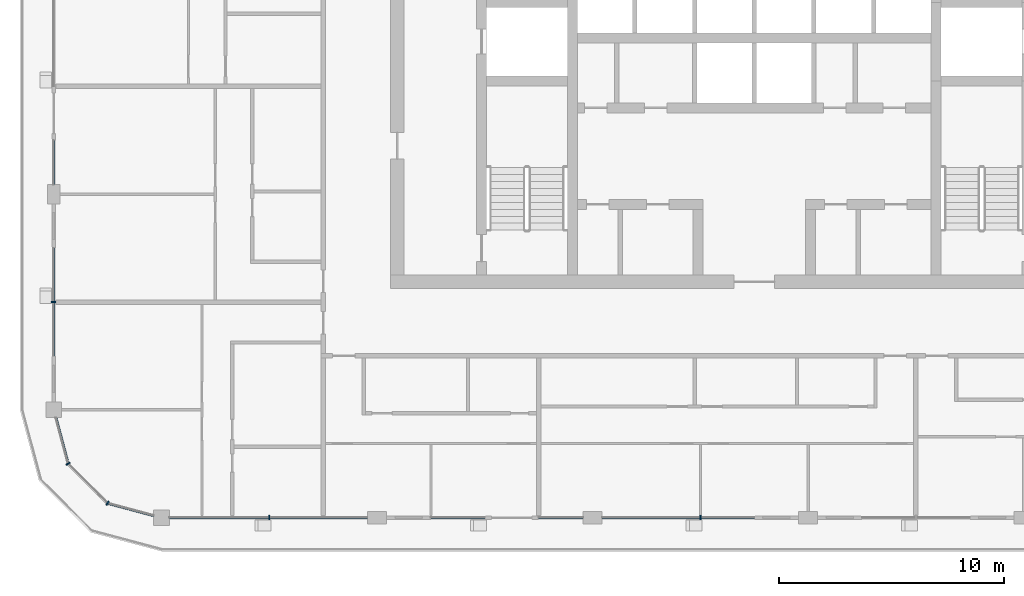
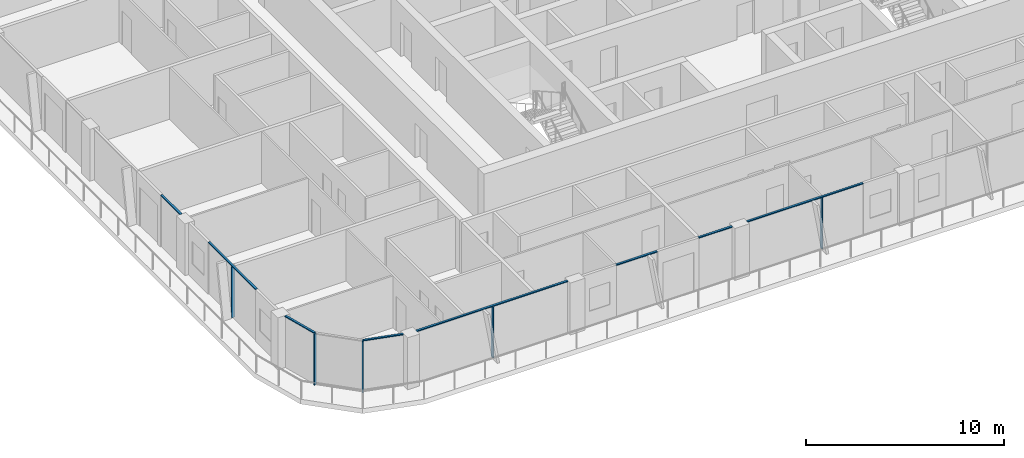
# One storey, part 2 of 22: 13 members, 6 elements without a shape of their own.
"""IFC4 building model written with IfcOpenShell, lengths in metres."""

from ifc_helpers import new_model, si_unit, direction, frame, origin, origin_2d, place, context, subcontext, project, spatial, rectangle, extrude, material, layer, layer_set, material_profile, profile_set, type_object, element, aggregate, save


model = new_model("IFC4")

# Units and contexts
model_context = context("Model", 3, precision=1e-05, world=origin(), true_north=direction((0.0, 1.0)))
body_context = subcontext(model_context, "Body", "Model", "MODEL_VIEW")
ifc_project = project(units=[si_unit("LENGTHUNIT", "METRE"), si_unit("AREAUNIT", "SQUARE_METRE"), si_unit("VOLUMEUNIT", "CUBIC_METRE"), si_unit("PLANEANGLEUNIT", "RADIAN"), si_unit("MASSUNIT", "GRAM", prefix="KILO")], contexts=[model_context])

# Site, building, storey
site_placement = place(None, origin())
site = spatial("IfcSite", under=ifc_project, at=site_placement, CompositionType="ELEMENT")
building_placement = place(site_placement, origin())
building = spatial("IfcBuilding", under=site, at=building_placement, Name="Madar Terraces", CompositionType="ELEMENT")
storey_placement = place(building_placement, frame((0.0, 0.0, 256.199951171875)))
storey = spatial("IfcBuildingStorey", under=building, at=storey_placement, Name="L67", CompositionType="ELEMENT", Elevation=256.199951171875)

# Curtain wall, member
ifc_material_1 = material(Name="Glass, ceramic frit dark grey, with black aluminium frame", Category="aluminium")
ifc_layer = layer(ifc_material_1, 0.199951171875)
ifc_layer_set = layer_set([ifc_layer], Name="Facade curtain wall, fritted glass")
curtain_wall_type = type_object("IfcCurtainWallType", Name="Facade curtain wall, fritted glass", PredefinedType="NOTDEFINED", material=ifc_layer_set)
curtain_wall_1_placement = place(storey_placement, origin())
curtain_wall_1 = element("IfcCurtainWall", 1, at=curtain_wall_1_placement, inside=storey, type_object=curtain_wall_type, Name="Outer skin curtain wall south bay 1", PredefinedType="NOTDEFINED")
ifc_material_2 = material(Name="Aluminium, black anodised", Category="aluminium")
ifc_material_profile_1 = material_profile(ifc_material_2, rectangle(XDim=0.199951171875, YDim=0.06005859375, at=origin_2d()), Name="Facade mullion 60x200")
ifc_profile_set_1 = profile_set([ifc_material_profile_1], Name="Aluminium, black anodised")
member_type_1 = type_object("IfcMemberType", Name="Facade mullion 60x200", PredefinedType="MULLION", material=ifc_profile_set_1)
member_1_placement = place(storey_placement, frame((9.60009765625, 4.800048828125, 0.0), z_axis=(0.0, 0.0, 1.0), x_axis=(0.0, 1.0, 0.0)))
member_1 = element("IfcMember", 2, at=member_1_placement, type_object=member_type_1, Name="Mullion 1", PredefinedType="MULLION", context=body_context, shape_type="SweptSolid", body=[
    extrude(rectangle(XDim=0.199951171875, YDim=0.06005859375, at=origin_2d()), origin(), (0.0, 0.0, 1.0), 3.14013671875),
])

curtain_wall_2_placement = place(storey_placement, origin())
curtain_wall_2 = element("IfcCurtainWall", 3, at=curtain_wall_2_placement, inside=storey, type_object=curtain_wall_type, Name="Outer skin curtain wall south bay 3", PredefinedType="NOTDEFINED")
member_2_placement = place(storey_placement, frame((28.800048828125, 4.800048828125, 0.0), z_axis=(0.0, 0.0, 1.0), x_axis=(0.0, 1.0, 0.0)))
member_2 = element("IfcMember", 4, at=member_2_placement, type_object=member_type_1, Name="Mullion 1", PredefinedType="MULLION", context=body_context, shape_type="SweptSolid", body=[
    extrude(rectangle(XDim=0.199951171875, YDim=0.06005859375, at=origin_2d()), origin(), (0.0, 0.0, 1.0), 3.14013671875),
])

curtain_wall_3_placement = place(storey_placement, origin())
curtain_wall_3 = element("IfcCurtainWall", 5, at=curtain_wall_3_placement, inside=storey, type_object=curtain_wall_type, Name="Outer skin curtain wall west bay 4", PredefinedType="NOTDEFINED")
member_3_placement = place(storey_placement, frame((0.0, 14.39990234375, 0.0), z_axis=(0.0, 0.0, 1.0), x_axis=(1.0, 0.0, 0.0)))
member_3 = element("IfcMember", 6, at=member_3_placement, type_object=member_type_1, Name="Mullion 1", PredefinedType="MULLION", context=body_context, shape_type="SweptSolid", body=[
    extrude(rectangle(XDim=0.199951171875, YDim=0.06005859375, at=origin_2d()), origin(), (0.0, 0.0, 1.0), 3.14013671875),
])

# Curtain wall, members
curtain_wall_4_placement = place(storey_placement, origin())
curtain_wall_4 = element("IfcCurtainWall", 7, at=curtain_wall_4_placement, inside=storey, type_object=curtain_wall_type, Name="Outer skin curtain wall south-west corner", PredefinedType="NOTDEFINED")
member_4_placement = place(storey_placement, frame((0.64306640625, 7.199951171875, 0.0), z_axis=(0.0, 0.0, 1.0), x_axis=(0.866025409797, 0.499999989586, 0.0)))
member_4 = element("IfcMember", 8, at=member_4_placement, type_object=member_type_1, Name="Mullion 1", PredefinedType="MULLION", context=body_context, shape_type="SweptSolid", body=[
    extrude(rectangle(XDim=0.199951171875, YDim=0.06005859375, at=origin_2d()), origin(), (0.0, 0.0, 1.0), 3.14013671875),
])
member_5_placement = place(storey_placement, frame((2.39990234375, 5.443115234375, 0.0), z_axis=(0.0, 0.0, 1.0), x_axis=(0.499999989586, 0.866025409797, 0.0)))
member_5 = element("IfcMember", 9, at=member_5_placement, type_object=member_type_1, Name="Mullion 2", PredefinedType="MULLION", context=body_context, shape_type="SweptSolid", body=[
    extrude(rectangle(XDim=0.199951171875, YDim=0.06005859375, at=origin_2d()), origin(), (0.0, 0.0, 1.0), 3.14013671875),
])

# Member
ifc_material_3 = material(Name="Aluminium, black anodised", Category="aluminium")
ifc_material_profile_2 = material_profile(ifc_material_3, rectangle(XDim=0.1201171875, YDim=0.06005859375, at=origin_2d()), Name="Facade transom 60x120")
ifc_profile_set_2 = profile_set([ifc_material_profile_2], Name="Aluminium, black anodised")
member_type_2 = type_object("IfcMemberType", Name="Facade transom 60x120", PredefinedType="USERDEFINED", material=ifc_profile_set_2)
member_6_placement = place(storey_placement, frame((5.14990234375, 4.800048828125, 3.170166015625), z_axis=(1.0, 0.0, 0.0), x_axis=(0.0, 1.0, 0.0)))
member_6 = element("IfcMember", 10, at=member_6_placement, type_object=member_type_2, Name="Transom 1", ObjectType="TRANSOM", PredefinedType="USERDEFINED", context=body_context, shape_type="SweptSolid", body=[
    extrude(rectangle(XDim=0.1201171875, YDim=0.06005859375, at=origin_2d()), origin(), (0.0, 0.0, 1.0), 8.8251953125),
])

aggregate(curtain_wall_1, [member_1, member_6])

# Curtain wall, members
curtain_wall_5_placement = place(storey_placement, origin())
curtain_wall_5 = element("IfcCurtainWall", 11, at=curtain_wall_5_placement, inside=storey, type_object=curtain_wall_type, Name="Outer skin curtain wall south bay 2", PredefinedType="NOTDEFINED")
member_7_placement = place(storey_placement, frame((16.800048828125, 4.800048828125, 3.170166015625), z_axis=(1.0, 0.0, 0.0), x_axis=(0.0, 1.0, 0.0)))
member_7 = element("IfcMember", 12, at=member_7_placement, type_object=member_type_2, Name="Transom 1", ObjectType="TRANSOM", PredefinedType="USERDEFINED", context=body_context, shape_type="SweptSolid", body=[
    extrude(rectangle(XDim=0.1201171875, YDim=0.06005859375, at=origin_2d()), origin(), (0.0, 0.0, 1.0), 2.39990234375),
])
member_8_placement = place(storey_placement, frame((21.60009765625, 4.800048828125, 3.170166015625), z_axis=(1.0, 0.0, 0.0), x_axis=(0.0, 1.0, 0.0)))
member_8 = element("IfcMember", 13, at=member_8_placement, type_object=member_type_2, Name="Transom 2", ObjectType="TRANSOM", PredefinedType="USERDEFINED", context=body_context, shape_type="SweptSolid", body=[
    extrude(rectangle(XDim=0.1201171875, YDim=0.06005859375, at=origin_2d()), origin(), (0.0, 0.0, 1.0), 1.974853515625),
])
aggregate(curtain_wall_5, [member_7, member_8])

# Member
member_9_placement = place(storey_placement, frame((24.425048828125, 4.800048828125, 3.170166015625), z_axis=(1.0, 0.0, 0.0), x_axis=(0.0, 1.0, 0.0)))
member_9 = element("IfcMember", 14, at=member_9_placement, type_object=member_type_2, Name="Transom 1", ObjectType="TRANSOM", PredefinedType="USERDEFINED", context=body_context, shape_type="SweptSolid", body=[
    extrude(rectangle(XDim=0.1201171875, YDim=0.06005859375, at=origin_2d()), origin(), (0.0, 0.0, 1.0), 6.77490234375),
])

aggregate(curtain_wall_2, [member_2, member_9])

# Curtain wall, member
curtain_wall_6_placement = place(storey_placement, origin())
curtain_wall_6 = element("IfcCurtainWall", 15, at=curtain_wall_6_placement, inside=storey, type_object=curtain_wall_type, Name="Outer skin curtain wall west bay 3", PredefinedType="NOTDEFINED")
member_10_placement = place(storey_placement, frame((0.0, 21.60009765625, 3.170166015625), z_axis=(0.0, -1.0, 0.0), x_axis=(1.0, 0.0, 0.0)))
member_10 = element("IfcMember", 16, at=member_10_placement, type_object=member_type_2, Name="Transom 2", ObjectType="TRANSOM", PredefinedType="USERDEFINED", context=body_context, shape_type="SweptSolid", body=[
    extrude(rectangle(XDim=0.1201171875, YDim=0.06005859375, at=origin_2d()), origin(), (0.0, 0.0, 1.0), 1.97509765625),
])
aggregate(curtain_wall_6, [member_10])

# Member
member_11_placement = place(storey_placement, frame((0.0, 16.800048828125, 3.170166015625), z_axis=(0.0, -1.0, 0.0), x_axis=(1.0, 0.0, 0.0)))
member_11 = element("IfcMember", 17, at=member_11_placement, type_object=member_type_2, Name="Transom 1", ObjectType="TRANSOM", PredefinedType="USERDEFINED", context=body_context, shape_type="SweptSolid", body=[
    extrude(rectangle(XDim=0.1201171875, YDim=0.06005859375, at=origin_2d()), origin(), (0.0, 0.0, 1.0), 4.800048828125),
])

aggregate(curtain_wall_3, [member_3, member_11])

member_12_placement = place(storey_placement, frame((0.09375, 9.25, 3.170166015625), z_axis=(0.258809963731, -0.965928259589, 0.0), x_axis=(0.965928259589, 0.258809963731, 0.0)))
member_12 = element("IfcMember", 18, at=member_12_placement, type_object=member_type_2, Name="Transom 1", ObjectType="TRANSOM", PredefinedType="USERDEFINED", context=body_context, shape_type="SweptSolid", body=[
    extrude(rectangle(XDim=0.1201171875, YDim=0.06005859375, at=origin_2d()), origin(), (0.0, 0.0, 1.0), 2.09228515625),
])

member_13_placement = place(storey_placement, frame((2.428955078125, 5.435302734375, 3.170166015625), z_axis=(0.965928259589, -0.258809963731, 0.0), x_axis=(0.258809963731, 0.965928259589, 0.0)))
member_13 = element("IfcMember", 19, at=member_13_placement, type_object=member_type_2, Name="Transom 3", ObjectType="TRANSOM", PredefinedType="USERDEFINED", context=body_context, shape_type="SweptSolid", body=[
    extrude(rectangle(XDim=0.1201171875, YDim=0.06005859375, at=origin_2d()), origin(), (0.0, 0.0, 1.0), 2.09228515625),
])

aggregate(curtain_wall_4, [member_4, member_12, member_5, member_13])

save(model, "model.ifc")
